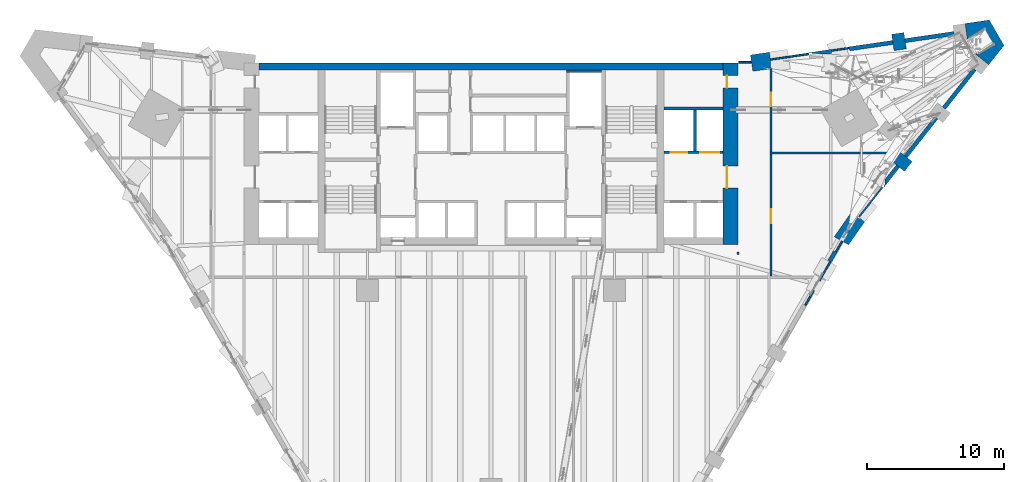
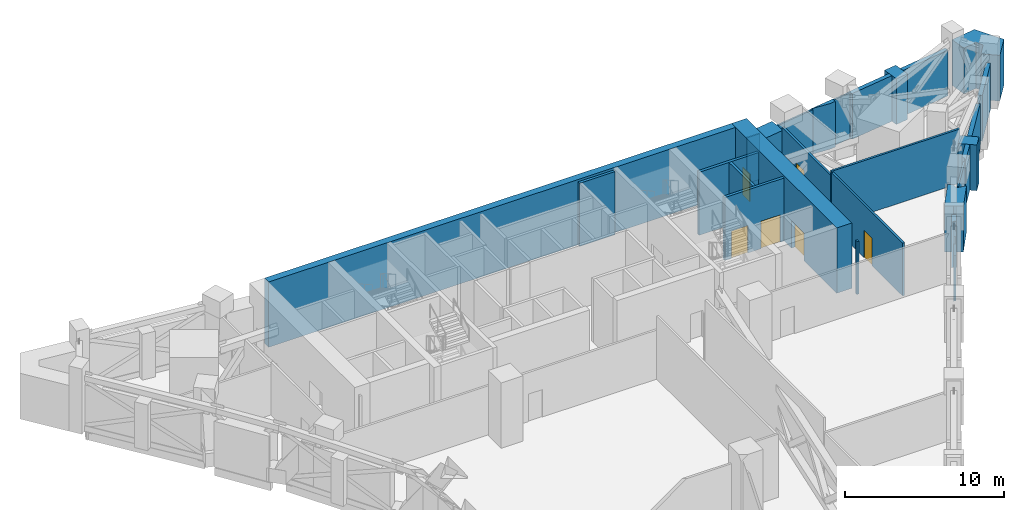
# One storey, part 12 of 22: 29 walls, 6 doors, 6 openings.
"""IFC4 building model written with IfcOpenShell, lengths in metres."""

from ifc_helpers import new_model, si_unit, direction, frame, frame_2d, origin, place, context, subcontext, project, spatial, polyline, rectangle, outline, extrude, material, layer, layer_set, type_object, element, fill, save


model = new_model("IFC4")

# Units and contexts
model_context = context("Model", 3, precision=1e-05, world=origin(), true_north=direction((0.0, 1.0)))
body_context = subcontext(model_context, "Body", "Model", "MODEL_VIEW")
ifc_project = project(units=[si_unit("LENGTHUNIT", "METRE"), si_unit("AREAUNIT", "SQUARE_METRE"), si_unit("VOLUMEUNIT", "CUBIC_METRE"), si_unit("PLANEANGLEUNIT", "RADIAN"), si_unit("MASSUNIT", "GRAM", prefix="KILO")], contexts=[model_context])

# Site, building, storey
site_placement = place(None, origin())
site = spatial("IfcSite", under=ifc_project, at=site_placement, CompositionType="ELEMENT")
building_placement = place(site_placement, origin())
building = spatial("IfcBuilding", under=site, at=building_placement, Name="Calabash Gate Tower", CompositionType="ELEMENT")
storey_placement = place(building_placement, frame((0.0, 0.0, 86.800048828125)))
storey = spatial("IfcBuildingStorey", under=building, at=storey_placement, Name="L18", CompositionType="ELEMENT", Elevation=86.800048828125)

# Walls
ifc_material_1 = material(Name="Terracotta brick masonry, exposed face", Category="masonry")
ifc_layer_1 = layer(ifc_material_1, 1.199951171875)
ifc_layer_set_1 = layer_set([ifc_layer_1], Name="Brick end wall 1200")
wall_type_1 = type_object("IfcWallType", Name="Brick end wall 1200", PredefinedType="SOLIDWALL", material=ifc_layer_set_1)
for number, where, z_axis, x_axis, name in (
    (1, (30.398193359375, 11.5224609375, 0.0), (0.0, 0.0, 1.0), (-0.784330409431, 0.620343299184, 0.0), "Brick pier L18 wedge3.1"),
    (2, (29.63037109375, 21.217041015625, 0.0), (0.0, 0.0, 1.0), (0.144867198998, -0.989451107764, 0.0), "Brick pier L18 wedge5.1"),
):
    element("IfcWall", number, at=place(storey_placement, frame(where, z_axis=z_axis, x_axis=x_axis)), inside=storey, type_object=wall_type_1, Name=name, PredefinedType="SOLIDWALL", context=body_context, shape_type="SweptSolid", body=[
        extrude(rectangle(XDim=1.199951171875, YDim=0.89990234375, at=frame_2d((0.60009765625, 0.0))), origin(), (0.0, 0.0, 1.0), 3.5),
    ])
wall_1_placement = place(storey_placement, origin())
element("IfcWall", 3, at=wall_1_placement, inside=storey, type_object=wall_type_1, Name="Brick end wall L18 2", PredefinedType="SOLIDWALL", context=body_context, shape_type="SweptSolid", body=[
    extrude(outline(polyline([(25.00439453125, 6.40380859375), (26.043701171875, 5.803955078125), (27.32763671875, 7.639892578125), (26.68603515625, 7.76708984375), (26.68603515625, 8.1474609375), (26.386474609375, 8.38427734375), (25.00439453125, 6.40380859375)])), origin(), (0.0, 0.0, 1.0), 3.5),
])
wall_2_placement = place(storey_placement, origin())
element("IfcWall", 4, at=wall_2_placement, inside=storey, type_object=wall_type_1, Name="Brick end wall L18 3", PredefinedType="SOLIDWALL", context=body_context, shape_type="SweptSolid", body=[
    extrude(outline(polyline([(35.31884765625, 19.678955078125), (36.260009765625, 18.9345703125), (37.369873046875, 20.337890625), (36.298095703125, 22.1943359375), (34.5283203125, 21.934814453125), (34.701904296875, 20.74755859375), (35.666259765625, 20.888916015625), (35.92333984375, 20.443359375), (35.31884765625, 19.678955078125)])), origin(), (0.0, 0.0, 1.0), 3.5),
])
wall_3_placement = place(storey_placement, origin())
element("IfcWall", 5, at=wall_3_placement, inside=storey, type_object=wall_type_1, Name="Brick end wall L18 4", PredefinedType="SOLIDWALL", context=body_context, shape_type="SweptSolid", body=[
    extrude(outline(polyline([(18.89892578125, 19.64404296875), (20.2802734375, 19.8466796875), (20.362060546875, 19.288330078125), (20.362060546875, 18.718017578125), (20.446533203125, 18.712158203125), (20.4541015625, 18.6591796875), (19.072998046875, 18.456787109375), (18.89892578125, 19.64404296875)])), origin(), (0.0, 0.0, 1.0), 3.5),
])

# Wall, openings, doors
ifc_material_2 = material(Name="Concrete C80/95", Category="concrete")
ifc_layer_2 = layer(ifc_material_2, 1.10009765625)
ifc_layer_set_2 = layer_set([ifc_layer_2], Name="Core wall 1100 Concrete C80/95")
wall_type_2 = type_object("IfcWallType", Name="Core wall 1100 Concrete C80/95", PredefinedType="SHEAR", material=ifc_layer_set_2)
wall_4_placement = place(storey_placement, frame((17.449951171875, 5.8525390625, 0.0), z_axis=(0.0, 0.0, 1.0), x_axis=(0.0, 1.0, 0.0)))
wall_4 = element("IfcWall", 6, at=wall_4_placement, inside=storey, type_object=wall_type_2, Name="Core wall Z1-ENDE L18", PredefinedType="SHEAR", context=body_context, shape_type="SweptSolid", body=[
    extrude(rectangle(XDim=13.199951171875, YDim=1.10009765625, at=frame_2d((6.60009765625, 0.0))), origin(), (0.0, 0.0, 1.0), 5.0),
])
opening_1_placement = place(wall_4_placement, frame((4.10009765625, 0.0, 0.0)))
opening_1 = element("IfcOpeningElement", 7, at=opening_1_placement, cuts=wall_4, Name="Opening L18-016", PredefinedType="OPENING", context=body_context, shape_type="SweptSolid", body=[
    extrude(rectangle(XDim=1.60009765625, YDim=2.10009765625, at=frame_2d((0.800048828125, 1.050048828125))), frame((0.0, 0.56005859375, 0.0), z_axis=(0.0, -1.0, 0.0), x_axis=(1.0, 0.0, 0.0)), (0.0, 0.0, 1.0), 1.1201171875),
])
opening_2_placement = place(wall_4_placement, frame((11.3974609375, 0.0, 0.0)))
opening_2 = element("IfcOpeningElement", 8, at=opening_2_placement, cuts=wall_4, Name="Opening L18-017", PredefinedType="OPENING", context=body_context, shape_type="SweptSolid", body=[
    extrude(rectangle(XDim=0.89990234375, YDim=2.10009765625, at=frame_2d((0.449951171875, 1.050048828125))), frame((0.0, 0.56005859375, 0.0), z_axis=(0.0, -1.0, 0.0), x_axis=(1.0, 0.0, 0.0)), (0.0, 0.0, 1.0), 1.1201171875),
])
ifc_material_3 = material(Name="Steel fire door set with fire-resisting glazing", Category="steel")
door_type_1 = type_object("IfcDoorType", Name="Double fire door D08 1600x2100 FD60", OperationType="DOUBLE_DOOR_SINGLE_SWING", PredefinedType="DOOR", material=ifc_material_3)
door_1_placement = place(opening_1_placement, origin())
door_1 = element("IfcDoor", 9, at=door_1_placement, inside=storey, type_object=door_type_1, Name="Low-rise Lift Lobby E door", OperationType="DOUBLE_DOOR_SINGLE_SWING", OverallHeight=2.10009765625, OverallWidth=1.60009765625, PredefinedType="DOOR", context=body_context, shape_type="SweptSolid", body=[
    extrude(rectangle(XDim=1.60009765625, YDim=2.10009765625, at=frame_2d((0.800048828125, 1.050048828125))), frame((0.0, 0.27490234375, 0.0), z_axis=(0.0, -1.0, 0.0), x_axis=(1.0, 0.0, 0.0)), (0.0, 0.0, 1.0), 0.050048828125),
])
fill(opening_1, door_1)
ifc_material_4 = material(Name="Steel fire door set with fire-resisting glazing", Category="steel")
door_type_2 = type_object("IfcDoorType", Name="Fire door D06 900x2100 FD60", OperationType="NOTDEFINED", PredefinedType="DOOR", material=ifc_material_4)
door_2_placement = place(opening_2_placement, origin())
door_2 = element("IfcDoor", 10, at=door_2_placement, inside=storey, type_object=door_type_2, Name="Heat Exchanger Plant Room door", OperationType="SINGLE_SWING_LEFT", OverallHeight=2.10009765625, OverallWidth=0.89990234375, PredefinedType="DOOR", context=body_context, shape_type="SweptSolid", body=[
    extrude(rectangle(XDim=0.89990234375, YDim=2.10009765625, at=frame_2d((0.449951171875, 1.050048828125))), frame((0.0, 0.27490234375, 0.0), z_axis=(0.0, -1.0, 0.0), x_axis=(1.0, 0.0, 0.0)), (0.0, 0.0, 1.0), 0.050048828125),
])
fill(opening_2, door_2)

# Wall
ifc_material_5 = material(Name="Concrete C80/95", Category="concrete")
ifc_layer_3 = layer(ifc_material_5, 0.5)
ifc_layer_set_3 = layer_set([ifc_layer_3], Name="Core wall 500 Concrete C80/95")
wall_type_3 = type_object("IfcWallType", Name="Core wall 500 Concrete C80/95", PredefinedType="SHEAR", material=ifc_layer_set_3)
wall_5_placement = place(storey_placement, frame((-16.89990234375, 18.802490234375, 0.0), z_axis=(0.0, 0.0, 1.0), x_axis=(1.0, 0.0, 0.0)))
element("IfcWall", 11, at=wall_5_placement, inside=storey, type_object=wall_type_3, Name="Core wall Z1-N L18", PredefinedType="SHEAR", context=body_context, shape_type="SweptSolid", body=[
    extrude(rectangle(XDim=33.7998046875, YDim=0.5, at=frame_2d((16.89990234375, 0.0))), origin(), (0.0, 0.0, 1.0), 5.0),
])

# Wall, opening, door
ifc_material_6 = material(Name="Gypsum board on steel studs, mineral wool", Category="steel")
ifc_layer_4 = layer(ifc_material_6, 0.14990234375)
ifc_layer_set_4 = layer_set([ifc_layer_4], Name="Partition 150 gypsum board")
wall_type_4 = type_object("IfcWallType", Name="Partition 150 gypsum board", PredefinedType="PARTITIONING", material=ifc_layer_set_4)
wall_6_placement = place(storey_placement, frame((20.39990234375, 3.527587890625, 0.0), z_axis=(0.0, 0.0, 1.0), x_axis=(0.0, 1.0, 0.0)))
wall_6 = element("IfcWall", 12, at=wall_6_placement, inside=storey, type_object=wall_type_4, Name="Partition", PredefinedType="PARTITIONING", context=body_context, shape_type="SweptSolid", body=[
    extrude(rectangle(XDim=8.89453125, YDim=0.14990234375, at=frame_2d((4.447265625, 0.0))), origin(), (0.0, 0.0, 1.0), 4.050048828125),
])
opening_3_placement = place(wall_6_placement, frame((3.869384765625, 0.0, 0.0)))
opening_3 = element("IfcOpeningElement", 13, at=opening_3_placement, cuts=wall_6, Name="Opening L18-021", PredefinedType="OPENING", context=body_context, shape_type="SweptSolid", body=[
    extrude(rectangle(XDim=1.0, YDim=2.10009765625, at=frame_2d((0.5, 1.050048828125))), frame((0.0, 0.0849609375, 0.0), z_axis=(0.0, -1.0, 0.0), x_axis=(1.0, 0.0, 0.0)), (0.0, 0.0, 1.0), 0.169921875),
])
ifc_material_7 = material(Name="Steel fire door set with fire-resisting glazing", Category="steel")
door_type_3 = type_object("IfcDoorType", Name="Fire door D11 1000x2100 FD60", OperationType="NOTDEFINED", PredefinedType="DOOR", material=ifc_material_7)
door_3_placement = place(opening_3_placement, origin())
door_3 = element("IfcDoor", 14, at=door_3_placement, inside=storey, type_object=door_type_3, Name="Electrical Switch Room door", OperationType="SINGLE_SWING_RIGHT", OverallHeight=2.10009765625, OverallWidth=1.0, PredefinedType="DOOR", context=body_context, shape_type="SweptSolid", body=[
    extrude(rectangle(XDim=1.0, YDim=2.10009765625, at=frame_2d((0.5, 1.050048828125))), frame((0.0, 0.02490234375, 0.0), z_axis=(0.0, -1.0, 0.0), x_axis=(1.0, 0.0, 0.0)), (0.0, 0.0, 1.0), 0.050048828125),
])
fill(opening_3, door_3)

# Walls
wall_7_placement = place(storey_placement, frame((18.0, 5.09765625, 0.0), z_axis=(0.0, 0.0, 1.0), x_axis=(0.0, 1.0, 0.0)))
element("IfcWall", 15, at=wall_7_placement, inside=storey, type_object=wall_type_4, Name="Partition", PredefinedType="PARTITIONING", context=body_context, shape_type="SweptSolid", body=[
    extrude(rectangle(XDim=0.179931640625, YDim=0.14990234375, at=frame_2d((0.08984375, 0.0))), origin(), (0.0, 0.0, 1.0), 4.050048828125),
])
wall_8_placement = place(storey_placement, frame((20.324951171875, 12.4970703125, 0.0), z_axis=(0.0, 0.0, 1.0), x_axis=(1.0, 0.0, 0.0)))
element("IfcWall", 16, at=wall_8_placement, inside=storey, type_object=wall_type_4, Name="Partition", PredefinedType="PARTITIONING", context=body_context, shape_type="SweptSolid", body=[
    extrude(rectangle(XDim=9.28857421875, YDim=0.14990234375, at=frame_2d((4.644287109375, 0.0))), origin(), (0.0, 0.0, 1.0), 4.15185546875),
])

# Wall, opening, door
wall_9_placement = place(storey_placement, frame((20.39990234375, 12.572021484375, 0.0), z_axis=(0.0, 0.0, 1.0), x_axis=(0.0, 1.0, 0.0)))
wall_9 = element("IfcWall", 17, at=wall_9_placement, inside=storey, type_object=wall_type_4, Name="Partition", PredefinedType="PARTITIONING", context=body_context, shape_type="SweptSolid", body=[
    extrude(rectangle(XDim=6.05908203125, YDim=0.14990234375, at=frame_2d((3.029541015625, 0.0))), origin(), (0.0, 0.0, 1.0), 3.751953125),
])
opening_4_placement = place(wall_9_placement, frame((3.335693359375, 0.0, 0.0)))
opening_4 = element("IfcOpeningElement", 18, at=opening_4_placement, cuts=wall_9, Name="Opening L18-020", PredefinedType="OPENING", context=body_context, shape_type="SweptSolid", body=[
    extrude(rectangle(XDim=1.0, YDim=2.10009765625, at=frame_2d((0.5, 1.050048828125))), frame((0.0, 0.0849609375, 0.0), z_axis=(0.0, -1.0, 0.0), x_axis=(1.0, 0.0, 0.0)), (0.0, 0.0, 1.0), 0.169921875),
])
door_4_placement = place(opening_4_placement, origin())
door_4 = element("IfcDoor", 19, at=door_4_placement, inside=storey, type_object=door_type_3, Name="Pump Room door", OperationType="SINGLE_SWING_LEFT", OverallHeight=2.10009765625, OverallWidth=1.0, PredefinedType="DOOR", context=body_context, shape_type="SweptSolid", body=[
    extrude(rectangle(XDim=1.0, YDim=2.10009765625, at=frame_2d((0.5, 1.050048828125))), frame((0.0, 0.02490234375, 0.0), z_axis=(0.0, -1.0, 0.0), x_axis=(1.0, 0.0, 0.0)), (0.0, 0.0, 1.0), 0.050048828125),
])
fill(opening_4, door_4)

# Wall, openings, doors
ifc_material_8 = material(Name="Concrete C40/50", Category="concrete")
ifc_layer_5 = layer(ifc_material_8, 0.199951171875)
ifc_layer_set_5 = layer_set([ifc_layer_5], Name="Shaft wall 200 Concrete C40/50")
wall_type_5 = type_object("IfcWallType", Name="Shaft wall 200 Concrete C40/50", PredefinedType="SOLIDWALL", material=ifc_layer_set_5)
wall_10_placement = place(storey_placement, frame((12.60009765625, 12.552490234375, 0.0), z_axis=(0.0, 0.0, 1.0), x_axis=(1.0, 0.0, 0.0)))
wall_10 = element("IfcWall", 20, at=wall_10_placement, inside=storey, type_object=wall_type_5, Name="Shaft wall", PredefinedType="SOLIDWALL", context=body_context, shape_type="SweptSolid", body=[
    extrude(rectangle(XDim=4.2998046875, YDim=0.199951171875, at=frame_2d((2.14990234375, 0.0))), origin(), (0.0, 0.0, 1.0), 4.829833984375),
])
opening_5_placement = place(wall_10_placement, frame((0.47509765625, 0.0, 0.0)))
opening_5 = element("IfcOpeningElement", 21, at=opening_5_placement, cuts=wall_10, Name="Opening LD-SL1", PredefinedType="OPENING", context=body_context, shape_type="SweptSolid", body=[
    extrude(rectangle(XDim=1.199951171875, YDim=2.10009765625, at=frame_2d((0.60009765625, 1.050048828125))), frame((0.0, 0.10986328125, 0.0), z_axis=(0.0, -1.0, 0.0), x_axis=(1.0, 0.0, 0.0)), (0.0, 0.0, 1.0), 0.219970703125),
])
opening_6_placement = place(wall_10_placement, frame((2.625, 0.0, 0.0)))
opening_6 = element("IfcOpeningElement", 22, at=opening_6_placement, cuts=wall_10, Name="Opening LD-GL1", PredefinedType="OPENING", context=body_context, shape_type="SweptSolid", body=[
    extrude(rectangle(XDim=1.39990234375, YDim=2.10009765625, at=frame_2d((0.699951171875, 1.050048828125))), frame((0.0, 0.10986328125, 0.0), z_axis=(0.0, -1.0, 0.0), x_axis=(1.0, 0.0, 0.0)), (0.0, 0.0, 1.0), 0.219970703125),
])
ifc_material_9 = material(Name="Stainless steel sliding door leaves", Category="steel")
door_type_4 = type_object("IfcDoorType", Name="Lift landing door LS3 1200x2100 FD90", OperationType="DOUBLE_DOOR_SLIDING", PredefinedType="DOOR", material=ifc_material_9)
door_5_placement = place(opening_5_placement, origin())
door_5 = element("IfcDoor", 23, at=door_5_placement, inside=storey, type_object=door_type_4, Name="Lift landing door SL1", OperationType="DOUBLE_DOOR_SLIDING", OverallHeight=2.10009765625, OverallWidth=1.199951171875, PredefinedType="DOOR", context=body_context, shape_type="SweptSolid", body=[
    extrude(rectangle(XDim=1.199951171875, YDim=2.10009765625, at=frame_2d((0.60009765625, 1.050048828125))), frame((0.0, 0.02490234375, 0.0), z_axis=(0.0, -1.0, 0.0), x_axis=(1.0, 0.0, 0.0)), (0.0, 0.0, 1.0), 0.050048828125),
])
fill(opening_5, door_5)
ifc_material_10 = material(Name="Stainless steel sliding door leaves", Category="steel")
door_type_5 = type_object("IfcDoorType", Name="Lift landing door LS4 1400x2100 FD90", OperationType="DOUBLE_DOOR_SLIDING", PredefinedType="DOOR", material=ifc_material_10)
door_6_placement = place(opening_6_placement, origin())
door_6 = element("IfcDoor", 24, at=door_6_placement, inside=storey, type_object=door_type_5, Name="Lift landing door GL1", OperationType="DOUBLE_DOOR_SLIDING", OverallHeight=2.10009765625, OverallWidth=1.39990234375, PredefinedType="DOOR", context=body_context, shape_type="SweptSolid", body=[
    extrude(rectangle(XDim=1.39990234375, YDim=2.10009765625, at=frame_2d((0.699951171875, 1.050048828125))), frame((0.0, 0.02490234375, 0.0), z_axis=(0.0, -1.0, 0.0), x_axis=(1.0, 0.0, 0.0)), (0.0, 0.0, 1.0), 0.050048828125),
])
fill(opening_6, door_6)

# Walls
wall_11_placement = place(storey_placement, frame((14.85009765625, 12.652587890625, 0.0), z_axis=(0.0, 0.0, 1.0), x_axis=(0.0, 1.0, 0.0)))
element("IfcWall", 25, at=wall_11_placement, inside=storey, type_object=wall_type_5, Name="Shaft wall", PredefinedType="SOLIDWALL", context=body_context, shape_type="SweptSolid", body=[
    extrude(rectangle(XDim=3.0, YDim=0.199951171875, at=frame_2d((1.5, 0.0))), origin(), (0.0, 0.0, 1.0), 4.829833984375),
])
wall_12_placement = place(storey_placement, frame((12.60009765625, 15.752685546875, 0.0), z_axis=(0.0, 0.0, 1.0), x_axis=(1.0, 0.0, 0.0)))
element("IfcWall", 26, at=wall_12_placement, inside=storey, type_object=wall_type_5, Name="Shaft wall", PredefinedType="SOLIDWALL", context=body_context, shape_type="SweptSolid", body=[
    extrude(rectangle(XDim=4.2998046875, YDim=0.199951171875, at=frame_2d((2.14990234375, 0.0))), origin(), (0.0, 0.0, 1.0), 4.829833984375),
])
wall_13_placement = place(storey_placement, frame((5.5, 18.45263671875, 0.0), z_axis=(0.0, 0.0, 1.0), x_axis=(1.0, 0.0, 0.0)))
element("IfcWall", 27, at=wall_13_placement, inside=storey, type_object=wall_type_5, Name="Shaft wall", PredefinedType="SOLIDWALL", context=body_context, shape_type="SweptSolid", body=[
    extrude(rectangle(XDim=2.550048828125, YDim=0.199951171875, at=frame_2d((1.27490234375, 0.0))), origin(), (0.0, 0.0, 1.0), 4.829833984375),
])
ifc_material_11 = material(Name="Terracotta brick masonry, perforated", Category="masonry")
ifc_layer_6 = layer(ifc_material_11, 0.1201171875)
ifc_layer_set_6 = layer_set([ifc_layer_6], Name="Terracotta jaali cladding A 120")
wall_type_6 = type_object("IfcWallType", Name="Terracotta jaali cladding A 120", PredefinedType="SOLIDWALL", material=ifc_layer_set_6)
wall_14_placement = place(storey_placement, frame((22.89013671875, 1.421630859375, 0.0), z_axis=(0.0, 0.0, 1.0), x_axis=(0.499887206002, 0.866090515637, 0.0)))
element("IfcWall", 28, at=wall_14_placement, inside=storey, type_object=wall_type_6, Name="Jaali cladding L18 SE2.c13", PredefinedType="SOLIDWALL", context=body_context, shape_type="SweptSolid", body=[
    extrude(rectangle(XDim=1.239990234375, YDim=0.1201171875, at=frame_2d((0.6201171875, 0.0))), origin(), (0.0, 0.0, 1.0), 3.5),
])
wall_15_placement = place(storey_placement, frame((23.9150390625, 3.197021484375, 0.0), z_axis=(0.0, 0.0, 1.0), x_axis=(0.500061797536, 0.86598972202, 0.0)))
element("IfcWall", 29, at=wall_15_placement, inside=storey, type_object=wall_type_6, Name="Jaali cladding L18 SE2.c14", PredefinedType="SOLIDWALL", context=body_context, shape_type="SweptSolid", body=[
    extrude(rectangle(XDim=1.639892578125, YDim=0.1201171875, at=frame_2d((0.81982421875, 0.0))), origin(), (0.0, 0.0, 1.0), 3.5),
])
wall_16_placement = place(storey_placement, frame((25.14013671875, 5.31884765625, 0.0), z_axis=(0.0, 0.0, 1.0), x_axis=(0.499982246889, 0.866035653305, 0.0)))
element("IfcWall", 30, at=wall_16_placement, inside=storey, type_object=wall_type_6, Name="Jaali cladding L18 SE2.c15", PredefinedType="SOLIDWALL", context=body_context, shape_type="SweptSolid", body=[
    extrude(rectangle(XDim=0.86767578125, YDim=0.1201171875, at=frame_2d((0.433837890625, 0.0))), origin(), (0.0, 0.0, 1.0), 3.5),
])
wall_17_placement = place(storey_placement, frame((26.81005859375, 7.855712890625, 0.0), z_axis=(0.0, 0.0, 1.0), x_axis=(0.620317179472, 0.78435106735, 0.0)))
element("IfcWall", 31, at=wall_17_placement, inside=storey, type_object=wall_type_6, Name="Jaali cladding L18 wedge3.c16", PredefinedType="SOLIDWALL", context=body_context, shape_type="SweptSolid", body=[
    extrude(rectangle(XDim=2.739990234375, YDim=0.1201171875, at=frame_2d((1.3701171875, 0.0))), origin(), (0.0, 0.0, 1.0), 3.5),
])
wall_18_placement = place(storey_placement, frame((26.049560546875, 20.146484375, 0.0), z_axis=(0.0, 0.0, 1.0), x_axis=(-0.989419059386, -0.145085922556, 0.0)))
element("IfcWall", 32, at=wall_18_placement, inside=storey, type_object=wall_type_6, Name="Jaali cladding L18 wedge5.c17", PredefinedType="SOLIDWALL", context=body_context, shape_type="SweptSolid", body=[
    extrude(rectangle(XDim=1.240234375, YDim=0.1201171875, at=frame_2d((0.6201171875, 0.0))), origin(), (0.0, 0.0, 1.0), 3.5),
])
wall_19_placement = place(storey_placement, frame((20.3701171875, 19.31396484375, 0.0), z_axis=(0.0, 0.0, 1.0), x_axis=(0.989431994424, 0.144997684157, 0.0)))
element("IfcWall", 33, at=wall_19_placement, inside=storey, type_object=wall_type_6, Name="Jaali cladding L18 wedge5.c18", PredefinedType="SOLIDWALL", context=body_context, shape_type="SweptSolid", body=[
    extrude(rectangle(XDim=2.7900390625, YDim=0.1201171875, at=frame_2d((1.39501953125, 0.0))), origin(), (0.0, 0.0, 1.0), 3.5),
])
wall_20_placement = place(storey_placement, frame((18.030029296875, 19.112548828125, 0.0), z_axis=(0.0, 0.0, 1.0), x_axis=(1.0, 0.0, 0.0)))
element("IfcWall", 34, at=wall_20_placement, inside=storey, type_object=wall_type_6, Name="Jaali cladding L18 N6.c19", PredefinedType="SOLIDWALL", context=body_context, shape_type="SweptSolid", body=[
    extrude(rectangle(XDim=0.93994140625, YDim=0.1201171875, at=frame_2d((0.469970703125, 0.0))), origin(), (0.0, 0.0, 1.0), 3.5),
])
ifc_material_12 = material(Name="Terracotta louvre blades in an aluminium frame", Category="masonry")
ifc_layer_7 = layer(ifc_material_12, 0.300048828125)
ifc_layer_set_7 = layer_set([ifc_layer_7], Name="Terracotta louvre wall 300")
wall_type_7 = type_object("IfcWallType", Name="Terracotta louvre wall 300", PredefinedType="ELEMENTEDWALL", material=ifc_layer_set_7)
wall_21_placement = place(storey_placement, origin())
element("IfcWall", 35, at=wall_21_placement, inside=storey, type_object=wall_type_7, Name="LOUVRE L18 SE2.9", PredefinedType="ELEMENTEDWALL", context=body_context, shape_type="SweptSolid", body=[
    extrude(outline(polyline([(24.944091796875, 5.3994140625), (24.520751953125, 4.666015625), (24.797119140625, 4.666015625), (24.797119140625, 4.54443359375), (25.203857421875, 5.24951171875), (24.944091796875, 5.3994140625)])), origin(), (0.0, 0.0, 1.0), 3.5),
])
wall_22_placement = place(storey_placement, origin())
element("IfcWall", 36, at=wall_22_placement, inside=storey, type_object=wall_type_7, Name="LOUVRE L18 wedge3.1", PredefinedType="ELEMENTEDWALL", context=body_context, shape_type="SweptSolid", body=[
    extrude(outline(polyline([(29.53076171875, 11.634765625), (28.70703125, 10.593017578125), (28.70703125, 10.261962890625), (28.548095703125, 9.908447265625), (29.76611328125, 11.44873046875), (29.53076171875, 11.634765625)])), origin(), (0.0, 0.0, 1.0), 3.5),
])
wall_23_placement = place(storey_placement, frame((30.206787109375, 12.24755859375, 0.0), z_axis=(0.0, 0.0, 1.0), x_axis=(0.620310302622, 0.784356505972, 0.0)))
element("IfcWall", 37, at=wall_23_placement, inside=storey, type_object=wall_type_7, Name="LOUVRE L18 wedge3.2", PredefinedType="ELEMENTEDWALL", context=body_context, shape_type="SweptSolid", body=[
    extrude(rectangle(XDim=3.60009765625, YDim=0.300048828125, at=frame_2d((1.800048828125, 0.0))), origin(), (0.0, 0.0, 1.0), 3.5),
])
wall_24_placement = place(storey_placement, frame((32.998046875, 15.77734375, 0.0), z_axis=(0.0, 0.0, 1.0), x_axis=(0.620343299184, 0.784330409431, 0.0)))
element("IfcWall", 38, at=wall_24_placement, inside=storey, type_object=wall_type_7, Name="LOUVRE L18 wedge3.3", PredefinedType="ELEMENTEDWALL", context=body_context, shape_type="SweptSolid", body=[
    extrude(rectangle(XDim=3.599853515625, YDim=0.300048828125, at=frame_2d((1.7998046875, 0.0))), origin(), (0.0, 0.0, 1.0), 3.5),
])
wall_25_placement = place(storey_placement, frame((33.724609375, 21.210693359375, 0.0), z_axis=(0.0, 0.0, 1.0), x_axis=(-0.98942335115, -0.145056651687, 0.0)))
element("IfcWall", 39, at=wall_25_placement, inside=storey, type_object=wall_type_7, Name="LOUVRE L18 wedge5.1", PredefinedType="ELEMENTEDWALL", context=body_context, shape_type="SweptSolid", body=[
    extrude(rectangle(XDim=3.60009765625, YDim=0.300048828125, at=frame_2d((1.800048828125, 0.0))), origin(), (0.0, 0.0, 1.0), 3.5),
])
wall_26_placement = place(storey_placement, origin())
element("IfcWall", 40, at=wall_26_placement, inside=storey, type_object=wall_type_7, Name="LOUVRE L18 wedge5.2", PredefinedType="ELEMENTEDWALL", context=body_context, shape_type="SweptSolid", body=[
    extrude(outline(polyline([(29.250244140625, 20.70654296875), (25.96875, 20.2255859375), (26.16845703125, 19.95166015625), (29.293701171875, 20.40966796875), (29.250244140625, 20.70654296875)])), origin(), (0.0, 0.0, 1.0), 3.5),
])
wall_27_placement = place(storey_placement, origin())
element("IfcWall", 41, at=wall_27_placement, inside=storey, type_object=wall_type_7, Name="LOUVRE L18 wedge5.3", PredefinedType="ELEMENTEDWALL", context=body_context, shape_type="SweptSolid", body=[
    extrude(outline(polyline([(24.7978515625, 20.053955078125), (23.0400390625, 19.79638671875), (24.449951171875, 19.69970703125), (24.81689453125, 19.75341796875), (24.81689453125, 19.92333984375), (24.7978515625, 20.053955078125)])), origin(), (0.0, 0.0, 1.0), 3.5),
])

save(model, "model.ifc")
